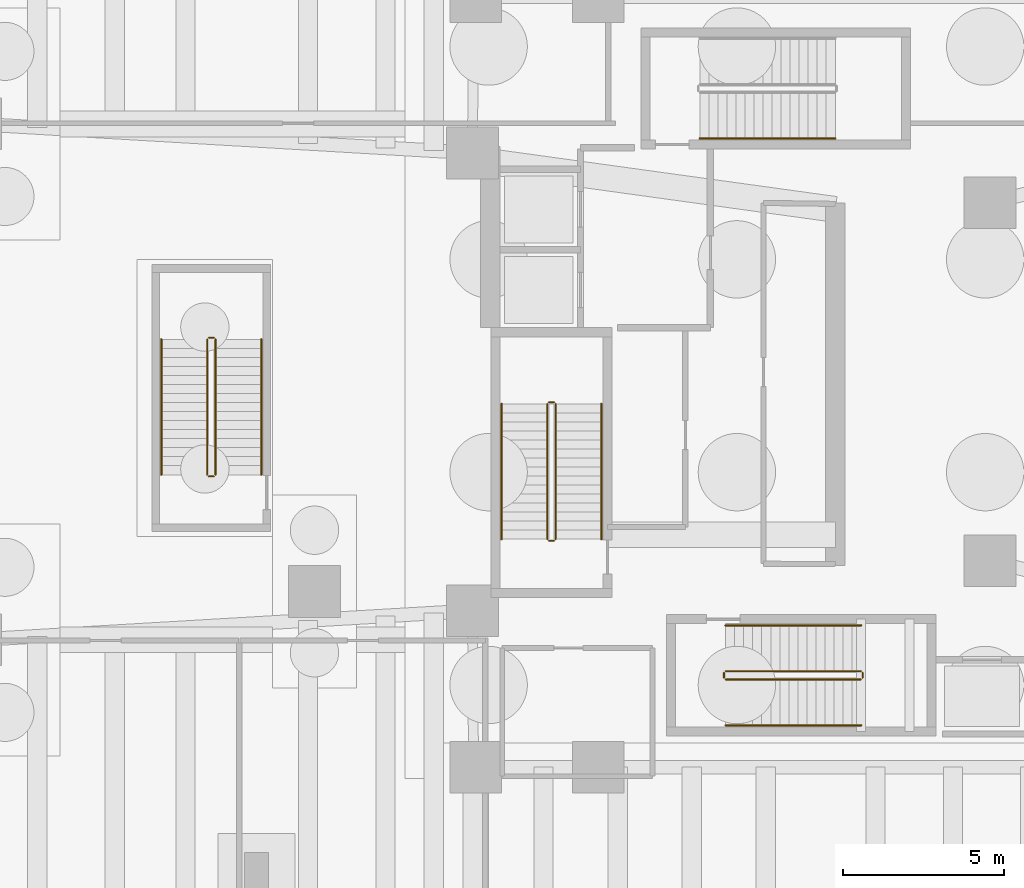
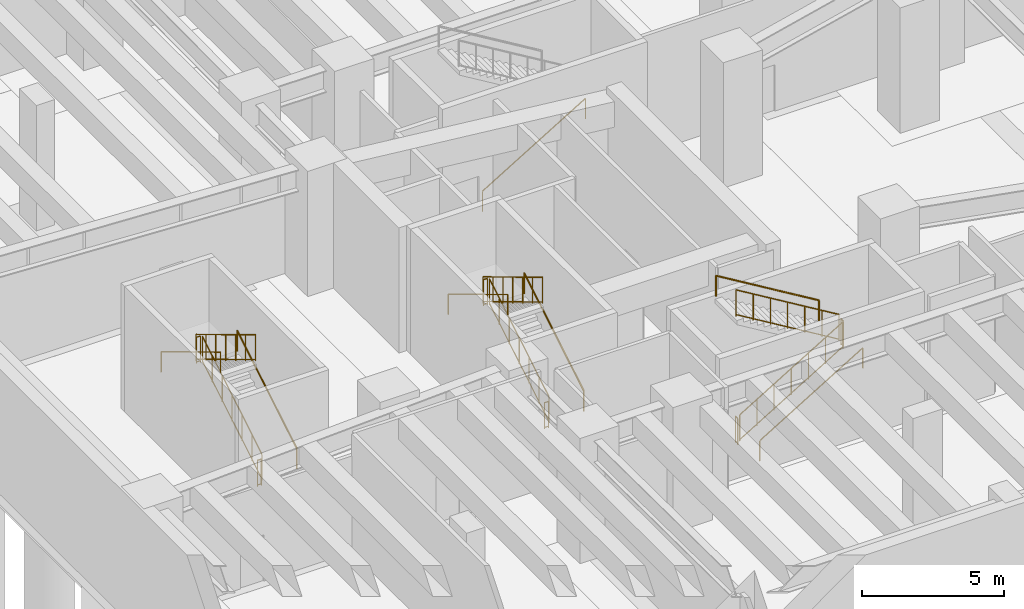
# One storey, part 8 of 10: 19 railings.
"""IFC4 building model written with IfcOpenShell, lengths in metres."""

from ifc_helpers import new_model, si_unit, direction, frame, origin, origin_2d, place, context, subcontext, project, spatial, circle, extrude, material, type_object, element, save


model = new_model("IFC4")

# Units and contexts
model_context = context("Model", 3, precision=1e-05, world=origin(), true_north=direction((0.0, 1.0)))
body_context = subcontext(model_context, "Body", "Model", "MODEL_VIEW")
ifc_project = project(units=[si_unit("LENGTHUNIT", "METRE"), si_unit("AREAUNIT", "SQUARE_METRE"), si_unit("VOLUMEUNIT", "CUBIC_METRE"), si_unit("PLANEANGLEUNIT", "RADIAN"), si_unit("MASSUNIT", "GRAM", prefix="KILO"), si_unit("THERMODYNAMICTEMPERATUREUNIT", "KELVIN"), si_unit("POWERUNIT", "WATT")], contexts=[model_context])

# Site, building, storey
site_placement = place(None, origin())
site = spatial("IfcSite", under=ifc_project, at=site_placement, CompositionType="ELEMENT")
building_placement = place(site_placement, origin())
building = spatial("IfcBuilding", under=site, at=building_placement, Name="Skarre Station Tower", CompositionType="ELEMENT")
storey_placement = place(building_placement, frame((0.0, 0.0, -10.199951171875)))
storey = spatial("IfcBuildingStorey", under=building, at=storey_placement, Name="B02", CompositionType="ELEMENT", Elevation=-10.199951171875)

# Railings
ifc_material = material(Name="Powder-Coated Tubular Steel", Category="steel")
railing_type_1 = type_object("IfcRailingType", Name="Painted Steel Ramp & Stair Handrail 920", PredefinedType="HANDRAIL", material=ifc_material)
railing_1_placement = place(storey_placement, frame((20.300048828125, 19.1201171875, 0.168701171875)))
element("IfcRailing", 1, at=railing_1_placement, inside=storey, type_object=railing_type_1, Name="B02 ST-1 stair handrail 1", PredefinedType="HANDRAIL", context=body_context, shape_type="SweptSolid", body=[
    extrude(circle(Radius=0.02392578125, at=origin_2d()), frame((0.0, 0.0, 0.8759765625), z_axis=(0.0, 0.856476492594, 0.516186030065), x_axis=(-1.0, 0.0, 0.0)), (0.0, 0.0, 1.0), 4.90380859375),
    extrude(circle(Radius=0.02099609375, at=origin_2d()), origin(), (0.0, 0.0, 1.0), 0.851806640625),
    extrude(circle(Radius=0.02099609375, at=origin_2d()), frame((0.0, 4.199951171875, 2.53125)), (0.0, 0.0, 1.0), 0.851806640625),
])
railing_2_placement = place(storey_placement, frame((17.199951171875, 23.320068359375, 2.86865234375)))
element("IfcRailing", 2, at=railing_2_placement, inside=storey, type_object=railing_type_1, Name="B02 ST-1 stair handrail 2", PredefinedType="HANDRAIL", context=body_context, shape_type="SweptSolid", body=[
    extrude(circle(Radius=0.02392578125, at=origin_2d()), frame((0.0, 0.0, 0.8759765625), z_axis=(0.0, -0.856476492594, 0.516186030065), x_axis=(1.0, 0.0, 0.0)), (0.0, 0.0, 1.0), 4.90380859375),
    extrude(circle(Radius=0.02099609375, at=origin_2d()), origin(), (0.0, 0.0, 1.0), 0.851806640625),
    extrude(circle(Radius=0.02099609375, at=origin_2d()), frame((0.0, -4.199951171875, 2.53125)), (0.0, 0.0, 1.0), 0.851806640625),
])
railing_3_placement = place(storey_placement, frame((24.14990234375, 13.35009765625, 0.168701171875)))
element("IfcRailing", 3, at=railing_3_placement, inside=storey, type_object=railing_type_1, Name="B02 ST-2 stair handrail 1", PredefinedType="HANDRAIL", context=body_context, shape_type="SweptSolid", body=[
    extrude(circle(Radius=0.02392578125, at=origin_2d()), frame((0.0, 0.0, 0.8759765625), z_axis=(0.856489757249, 0.0, 0.516164020179), x_axis=(0.0, 1.0, 0.0)), (0.0, 0.0, 1.0), 4.904052734375),
    extrude(circle(Radius=0.02099609375, at=origin_2d()), origin(), (0.0, 0.0, 1.0), 0.851806640625),
    extrude(circle(Radius=0.02099609375, at=origin_2d()), frame((4.2001953125, 0.0, 2.53125)), (0.0, 0.0, 1.0), 0.851806640625),
])
railing_4_placement = place(storey_placement, frame((28.35009765625, 16.449951171875, 2.86865234375)))
element("IfcRailing", 4, at=railing_4_placement, inside=storey, type_object=railing_type_1, Name="B02 ST-2 stair handrail 2", PredefinedType="HANDRAIL", context=body_context, shape_type="SweptSolid", body=[
    extrude(circle(Radius=0.02392578125, at=origin_2d()), frame((0.0, 0.0, 0.8759765625), z_axis=(-0.856489757249, 0.0, 0.516164020179), x_axis=(0.0, -1.0, 0.0)), (0.0, 0.0, 1.0), 4.904052734375),
    extrude(circle(Radius=0.02099609375, at=origin_2d()), origin(), (0.0, 0.0, 1.0), 0.851806640625),
    extrude(circle(Radius=0.02099609375, at=origin_2d()), frame((-4.2001953125, 0.0, 2.53125)), (0.0, 0.0, 1.0), 0.851806640625),
])
railing_5_placement = place(storey_placement, frame((23.35009765625, 31.550048828125, 0.168701171875)))
element("IfcRailing", 5, at=railing_5_placement, inside=storey, type_object=railing_type_1, Name="B02 ST-3 stair handrail 1", PredefinedType="HANDRAIL", context=body_context, shape_type="SweptSolid", body=[
    extrude(circle(Radius=0.02392578125, at=origin_2d()), frame((0.0, 0.0, 0.8759765625), z_axis=(0.856476492594, 0.0, 0.516186030065), x_axis=(0.0, 1.0, 0.0)), (0.0, 0.0, 1.0), 4.90380859375),
    extrude(circle(Radius=0.02099609375, at=origin_2d()), origin(), (0.0, 0.0, 1.0), 0.851806640625),
    extrude(circle(Radius=0.02099609375, at=origin_2d()), frame((4.199951171875, 0.0, 2.53125)), (0.0, 0.0, 1.0), 0.851806640625),
])
railing_6_placement = place(storey_placement, frame((9.75, 21.1201171875, 0.168701171875)))
element("IfcRailing", 6, at=railing_6_placement, inside=storey, type_object=railing_type_1, Name="B02 ST-4 stair handrail 1", PredefinedType="HANDRAIL", context=body_context, shape_type="SweptSolid", body=[
    extrude(circle(Radius=0.02392578125, at=origin_2d()), frame((0.0, 0.0, 0.8759765625), z_axis=(0.0, 0.856476492594, 0.516186030065), x_axis=(-1.0, 0.0, 0.0)), (0.0, 0.0, 1.0), 4.90380859375),
    extrude(circle(Radius=0.02099609375, at=origin_2d()), origin(), (0.0, 0.0, 1.0), 0.851806640625),
    extrude(circle(Radius=0.02099609375, at=origin_2d()), frame((0.0, 4.199951171875, 2.53125)), (0.0, 0.0, 1.0), 0.851806640625),
])
railing_7_placement = place(storey_placement, frame((6.64990234375, 25.320068359375, 2.86865234375)))
element("IfcRailing", 7, at=railing_7_placement, inside=storey, type_object=railing_type_1, Name="B02 ST-4 stair handrail 2", PredefinedType="HANDRAIL", context=body_context, shape_type="SweptSolid", body=[
    extrude(circle(Radius=0.02392578125, at=origin_2d()), frame((0.0, 0.0, 0.8759765625), z_axis=(0.0, -0.856476492594, 0.516186030065), x_axis=(1.0, 0.0, 0.0)), (0.0, 0.0, 1.0), 4.90380859375),
    extrude(circle(Radius=0.02099609375, at=origin_2d()), origin(), (0.0, 0.0, 1.0), 0.851806640625),
    extrude(circle(Radius=0.02099609375, at=origin_2d()), frame((0.0, -4.199951171875, 2.53125)), (0.0, 0.0, 1.0), 0.851806640625),
])
railing_type_2 = type_object("IfcRailingType", Name="Painted Steel Stairwell Guardrail 1100", PredefinedType="GUARDRAIL", material=ifc_material)
railing_8_placement = place(storey_placement, frame((18.8798828125, 19.1201171875, 0.168701171875)))
element("IfcRailing", 8, at=railing_8_placement, inside=storey, type_object=railing_type_2, Name="B02 ST-1 stair guard 1", PredefinedType="GUARDRAIL", context=body_context, shape_type="SweptSolid", body=[
    extrude(circle(Radius=0.02392578125, at=origin_2d()), frame((0.0, 0.0, 1.1259765625), z_axis=(0.0, 0.856476492594, 0.516186030065), x_axis=(-1.0, 0.0, 0.0)), (0.0, 0.0, 1.0), 4.90380859375),
    extrude(circle(Radius=0.02099609375, at=origin_2d()), frame((0.0, 0.0, 0.06005859375), z_axis=(0.0, 0.856476492594, 0.516186030065), x_axis=(-1.0, 0.0, 0.0)), (0.0, 0.0, 1.0), 4.90380859375),
    extrude(circle(Radius=0.02099609375, at=origin_2d()), origin(), (0.0, 0.0, 1.0), 1.101806640625),
    extrude(circle(Radius=0.02099609375, at=origin_2d()), frame((0.0, 0.699951171875, 0.421875)), (0.0, 0.0, 1.0), 1.101806640625),
    extrude(circle(Radius=0.02099609375, at=origin_2d()), frame((0.0, 1.39990234375, 0.84375)), (0.0, 0.0, 1.0), 1.101806640625),
    extrude(circle(Radius=0.02099609375, at=origin_2d()), frame((0.0, 2.10009765625, 1.265625)), (0.0, 0.0, 1.0), 1.101806640625),
    extrude(circle(Radius=0.02099609375, at=origin_2d()), frame((0.0, 2.800048828125, 1.6875)), (0.0, 0.0, 1.0), 1.101806640625),
    extrude(circle(Radius=0.02099609375, at=origin_2d()), frame((0.0, 3.5, 2.109375)), (0.0, 0.0, 1.0), 1.101806640625),
    extrude(circle(Radius=0.02099609375, at=origin_2d()), frame((0.0, 4.199951171875, 2.53125)), (0.0, 0.0, 1.0), 1.101806640625),
])
railing_9_placement = place(storey_placement, frame((18.830078125, 23.3701171875, 2.699951171875)))
element("IfcRailing", 9, at=railing_9_placement, inside=storey, type_object=railing_type_2, Name="B02 ST-1 stair guard 2", PredefinedType="GUARDRAIL", context=body_context, shape_type="SweptSolid", body=[
    extrude(circle(Radius=0.02392578125, at=origin_2d()), frame((0.0, 0.0, 1.1259765625), z_axis=(-1.0, 0.0, 0.0), x_axis=(0.0, -1.0, 0.0)), (0.0, 0.0, 1.0), 0.16015625),
    extrude(circle(Radius=0.02099609375, at=origin_2d()), frame((0.0, 0.0, 0.06005859375), z_axis=(-1.0, 0.0, 0.0), x_axis=(0.0, -1.0, 0.0)), (0.0, 0.0, 1.0), 0.16015625),
    extrude(circle(Radius=0.02099609375, at=origin_2d()), origin(), (0.0, 0.0, 1.0), 1.101806640625),
    extrude(circle(Radius=0.02099609375, at=origin_2d()), frame((-0.16015625, 0.0, 0.0)), (0.0, 0.0, 1.0), 1.101806640625),
])
railing_10_placement = place(storey_placement, frame((18.6201171875, 23.320068359375, 2.86865234375)))
element("IfcRailing", 10, at=railing_10_placement, inside=storey, type_object=railing_type_2, Name="B02 ST-1 stair guard 3", PredefinedType="GUARDRAIL", context=body_context, shape_type="SweptSolid", body=[
    extrude(circle(Radius=0.02392578125, at=origin_2d()), frame((0.0, 0.0, 1.1259765625), z_axis=(0.0, -0.856476492594, 0.516186030065), x_axis=(1.0, 0.0, 0.0)), (0.0, 0.0, 1.0), 4.90380859375),
    extrude(circle(Radius=0.02099609375, at=origin_2d()), frame((0.0, 0.0, 0.06005859375), z_axis=(0.0, -0.856476492594, 0.516186030065), x_axis=(1.0, 0.0, 0.0)), (0.0, 0.0, 1.0), 4.90380859375),
    extrude(circle(Radius=0.02099609375, at=origin_2d()), origin(), (0.0, 0.0, 1.0), 1.101806640625),
    extrude(circle(Radius=0.02099609375, at=origin_2d()), frame((0.0, -0.699951171875, 0.421875)), (0.0, 0.0, 1.0), 1.101806640625),
    extrude(circle(Radius=0.02099609375, at=origin_2d()), frame((0.0, -1.39990234375, 0.84375)), (0.0, 0.0, 1.0), 1.101806640625),
    extrude(circle(Radius=0.02099609375, at=origin_2d()), frame((0.0, -2.10009765625, 1.265625)), (0.0, 0.0, 1.0), 1.101806640625),
    extrude(circle(Radius=0.02099609375, at=origin_2d()), frame((0.0, -2.800048828125, 1.6875)), (0.0, 0.0, 1.0), 1.101806640625),
    extrude(circle(Radius=0.02099609375, at=origin_2d()), frame((0.0, -3.5, 2.109375)), (0.0, 0.0, 1.0), 1.101806640625),
    extrude(circle(Radius=0.02099609375, at=origin_2d()), frame((0.0, -4.199951171875, 2.53125)), (0.0, 0.0, 1.0), 1.101806640625),
])
railing_11_placement = place(storey_placement, frame((18.830078125, 19.070068359375, 0.0)))
element("IfcRailing", 11, at=railing_11_placement, inside=storey, type_object=railing_type_2, Name="B02 ST-1 stair guard 4", PredefinedType="GUARDRAIL", context=body_context, shape_type="SweptSolid", body=[
    extrude(circle(Radius=0.02392578125, at=origin_2d()), frame((0.0, 0.0, 1.1259765625), z_axis=(-1.0, 0.0, 0.0), x_axis=(0.0, -1.0, 0.0)), (0.0, 0.0, 1.0), 0.16015625),
    extrude(circle(Radius=0.02099609375, at=origin_2d()), frame((0.0, 0.0, 0.06005859375), z_axis=(-1.0, 0.0, 0.0), x_axis=(0.0, -1.0, 0.0)), (0.0, 0.0, 1.0), 0.16015625),
    extrude(circle(Radius=0.02099609375, at=origin_2d()), origin(), (0.0, 0.0, 1.0), 1.101806640625),
    extrude(circle(Radius=0.02099609375, at=origin_2d()), frame((-0.16015625, 0.0, 0.0)), (0.0, 0.0, 1.0), 1.101806640625),
])
railing_12_placement = place(storey_placement, frame((24.14990234375, 14.77001953125, 0.168701171875)))
element("IfcRailing", 12, at=railing_12_placement, inside=storey, type_object=railing_type_2, Name="B02 ST-2 stair guard 1", PredefinedType="GUARDRAIL", context=body_context, shape_type="SweptSolid", body=[
    extrude(circle(Radius=0.02392578125, at=origin_2d()), frame((0.0, 0.0, 1.1259765625), z_axis=(0.856489757249, 0.0, 0.516164020179), x_axis=(0.0, 1.0, 0.0)), (0.0, 0.0, 1.0), 4.904052734375),
    extrude(circle(Radius=0.02099609375, at=origin_2d()), frame((0.0, 0.0, 0.06005859375), z_axis=(0.856489757249, 0.0, 0.516164020179), x_axis=(0.0, 1.0, 0.0)), (0.0, 0.0, 1.0), 4.904052734375),
    extrude(circle(Radius=0.02099609375, at=origin_2d()), origin(), (0.0, 0.0, 1.0), 1.101806640625),
    extrude(circle(Radius=0.02099609375, at=origin_2d()), frame((0.699951171875, 0.0, 0.421875)), (0.0, 0.0, 1.0), 1.101806640625),
    extrude(circle(Radius=0.02099609375, at=origin_2d()), frame((1.400146484375, 0.0, 0.84375)), (0.0, 0.0, 1.0), 1.101806640625),
    extrude(circle(Radius=0.02099609375, at=origin_2d()), frame((2.10009765625, 0.0, 1.265625)), (0.0, 0.0, 1.0), 1.101806640625),
    extrude(circle(Radius=0.02099609375, at=origin_2d()), frame((2.800048828125, 0.0, 1.6875)), (0.0, 0.0, 1.0), 1.101806640625),
    extrude(circle(Radius=0.02099609375, at=origin_2d()), frame((3.500244140625, 0.0, 2.109375)), (0.0, 0.0, 1.0), 1.101806640625),
    extrude(circle(Radius=0.02099609375, at=origin_2d()), frame((4.2001953125, 0.0, 2.53125)), (0.0, 0.0, 1.0), 1.101806640625),
])
railing_13_placement = place(storey_placement, frame((28.39990234375, 14.820068359375, 2.699951171875)))
element("IfcRailing", 13, at=railing_13_placement, inside=storey, type_object=railing_type_2, Name="B02 ST-2 stair guard 2", PredefinedType="GUARDRAIL", context=body_context, shape_type="SweptSolid", body=[
    extrude(circle(Radius=0.02392578125, at=origin_2d()), frame((0.0, 0.0, 1.1259765625), z_axis=(0.0, 1.0, 0.0), x_axis=(-1.0, 0.0, 0.0)), (0.0, 0.0, 1.0), 0.159912109375),
    extrude(circle(Radius=0.02099609375, at=origin_2d()), frame((0.0, 0.0, 0.06005859375), z_axis=(0.0, 1.0, 0.0), x_axis=(-1.0, 0.0, 0.0)), (0.0, 0.0, 1.0), 0.159912109375),
    extrude(circle(Radius=0.02099609375, at=origin_2d()), origin(), (0.0, 0.0, 1.0), 1.101806640625),
    extrude(circle(Radius=0.02099609375, at=origin_2d()), frame((0.0, 0.159912109375, 0.0)), (0.0, 0.0, 1.0), 1.101806640625),
])
railing_14_placement = place(storey_placement, frame((28.35009765625, 15.030029296875, 2.86865234375)))
element("IfcRailing", 14, at=railing_14_placement, inside=storey, type_object=railing_type_2, Name="B02 ST-2 stair guard 3", PredefinedType="GUARDRAIL", context=body_context, shape_type="SweptSolid", body=[
    extrude(circle(Radius=0.02392578125, at=origin_2d()), frame((0.0, 0.0, 1.1259765625), z_axis=(-0.856489757249, 0.0, 0.516164020179), x_axis=(0.0, -1.0, 0.0)), (0.0, 0.0, 1.0), 4.904052734375),
    extrude(circle(Radius=0.02099609375, at=origin_2d()), frame((0.0, 0.0, 0.06005859375), z_axis=(-0.856489757249, 0.0, 0.516164020179), x_axis=(0.0, -1.0, 0.0)), (0.0, 0.0, 1.0), 4.904052734375),
    extrude(circle(Radius=0.02099609375, at=origin_2d()), origin(), (0.0, 0.0, 1.0), 1.101806640625),
    extrude(circle(Radius=0.02099609375, at=origin_2d()), frame((-0.699951171875, 0.0, 0.421875)), (0.0, 0.0, 1.0), 1.101806640625),
    extrude(circle(Radius=0.02099609375, at=origin_2d()), frame((-1.400146484375, 0.0, 0.84375)), (0.0, 0.0, 1.0), 1.101806640625),
    extrude(circle(Radius=0.02099609375, at=origin_2d()), frame((-2.10009765625, 0.0, 1.265625)), (0.0, 0.0, 1.0), 1.101806640625),
    extrude(circle(Radius=0.02099609375, at=origin_2d()), frame((-2.800048828125, 0.0, 1.6875)), (0.0, 0.0, 1.0), 1.101806640625),
    extrude(circle(Radius=0.02099609375, at=origin_2d()), frame((-3.500244140625, 0.0, 2.109375)), (0.0, 0.0, 1.0), 1.101806640625),
    extrude(circle(Radius=0.02099609375, at=origin_2d()), frame((-4.2001953125, 0.0, 2.53125)), (0.0, 0.0, 1.0), 1.101806640625),
])
railing_15_placement = place(storey_placement, frame((24.10009765625, 14.820068359375, 0.0)))
element("IfcRailing", 15, at=railing_15_placement, inside=storey, type_object=railing_type_2, Name="B02 ST-2 stair guard 4", PredefinedType="GUARDRAIL", context=body_context, shape_type="SweptSolid", body=[
    extrude(circle(Radius=0.02392578125, at=origin_2d()), frame((0.0, 0.0, 1.1259765625), z_axis=(0.0, 1.0, 0.0), x_axis=(-1.0, 0.0, 0.0)), (0.0, 0.0, 1.0), 0.159912109375),
    extrude(circle(Radius=0.02099609375, at=origin_2d()), frame((0.0, 0.0, 0.06005859375), z_axis=(0.0, 1.0, 0.0), x_axis=(-1.0, 0.0, 0.0)), (0.0, 0.0, 1.0), 0.159912109375),
    extrude(circle(Radius=0.02099609375, at=origin_2d()), origin(), (0.0, 0.0, 1.0), 1.101806640625),
    extrude(circle(Radius=0.02099609375, at=origin_2d()), frame((0.0, 0.159912109375, 0.0)), (0.0, 0.0, 1.0), 1.101806640625),
])
railing_16_placement = place(storey_placement, frame((8.330078125, 21.1201171875, 0.168701171875)))
element("IfcRailing", 16, at=railing_16_placement, inside=storey, type_object=railing_type_2, Name="B02 ST-4 stair guard 1", PredefinedType="GUARDRAIL", context=body_context, shape_type="SweptSolid", body=[
    extrude(circle(Radius=0.02392578125, at=origin_2d()), frame((0.0, 0.0, 1.1259765625), z_axis=(0.0, 0.856476492594, 0.516186030065), x_axis=(-1.0, 0.0, 0.0)), (0.0, 0.0, 1.0), 4.90380859375),
    extrude(circle(Radius=0.02099609375, at=origin_2d()), frame((0.0, 0.0, 0.06005859375), z_axis=(0.0, 0.856476492594, 0.516186030065), x_axis=(-1.0, 0.0, 0.0)), (0.0, 0.0, 1.0), 4.90380859375),
    extrude(circle(Radius=0.02099609375, at=origin_2d()), origin(), (0.0, 0.0, 1.0), 1.101806640625),
    extrude(circle(Radius=0.02099609375, at=origin_2d()), frame((0.0, 0.699951171875, 0.421875)), (0.0, 0.0, 1.0), 1.101806640625),
    extrude(circle(Radius=0.02099609375, at=origin_2d()), frame((0.0, 1.39990234375, 0.84375)), (0.0, 0.0, 1.0), 1.101806640625),
    extrude(circle(Radius=0.02099609375, at=origin_2d()), frame((0.0, 2.10009765625, 1.265625)), (0.0, 0.0, 1.0), 1.101806640625),
    extrude(circle(Radius=0.02099609375, at=origin_2d()), frame((0.0, 2.800048828125, 1.6875)), (0.0, 0.0, 1.0), 1.101806640625),
    extrude(circle(Radius=0.02099609375, at=origin_2d()), frame((0.0, 3.5, 2.109375)), (0.0, 0.0, 1.0), 1.101806640625),
    extrude(circle(Radius=0.02099609375, at=origin_2d()), frame((0.0, 4.199951171875, 2.53125)), (0.0, 0.0, 1.0), 1.101806640625),
])
railing_17_placement = place(storey_placement, frame((8.280029296875, 25.3701171875, 2.699951171875)))
element("IfcRailing", 17, at=railing_17_placement, inside=storey, type_object=railing_type_2, Name="B02 ST-4 stair guard 2", PredefinedType="GUARDRAIL", context=body_context, shape_type="SweptSolid", body=[
    extrude(circle(Radius=0.02392578125, at=origin_2d()), frame((0.0, 0.0, 1.1259765625), z_axis=(-1.0, 0.0, 0.0), x_axis=(0.0, -1.0, 0.0)), (0.0, 0.0, 1.0), 0.159912109375),
    extrude(circle(Radius=0.02099609375, at=origin_2d()), frame((0.0, 0.0, 0.06005859375), z_axis=(-1.0, 0.0, 0.0), x_axis=(0.0, -1.0, 0.0)), (0.0, 0.0, 1.0), 0.159912109375),
    extrude(circle(Radius=0.02099609375, at=origin_2d()), origin(), (0.0, 0.0, 1.0), 1.101806640625),
    extrude(circle(Radius=0.02099609375, at=origin_2d()), frame((-0.159912109375, 0.0, 0.0)), (0.0, 0.0, 1.0), 1.101806640625),
])
railing_18_placement = place(storey_placement, frame((8.070068359375, 25.320068359375, 2.86865234375)))
element("IfcRailing", 18, at=railing_18_placement, inside=storey, type_object=railing_type_2, Name="B02 ST-4 stair guard 3", PredefinedType="GUARDRAIL", context=body_context, shape_type="SweptSolid", body=[
    extrude(circle(Radius=0.02392578125, at=origin_2d()), frame((0.0, 0.0, 1.1259765625), z_axis=(0.0, -0.856476492594, 0.516186030065), x_axis=(1.0, 0.0, 0.0)), (0.0, 0.0, 1.0), 4.90380859375),
    extrude(circle(Radius=0.02099609375, at=origin_2d()), frame((0.0, 0.0, 0.06005859375), z_axis=(0.0, -0.856476492594, 0.516186030065), x_axis=(1.0, 0.0, 0.0)), (0.0, 0.0, 1.0), 4.90380859375),
    extrude(circle(Radius=0.02099609375, at=origin_2d()), origin(), (0.0, 0.0, 1.0), 1.101806640625),
    extrude(circle(Radius=0.02099609375, at=origin_2d()), frame((0.0, -0.699951171875, 0.421875)), (0.0, 0.0, 1.0), 1.101806640625),
    extrude(circle(Radius=0.02099609375, at=origin_2d()), frame((0.0, -1.39990234375, 0.84375)), (0.0, 0.0, 1.0), 1.101806640625),
    extrude(circle(Radius=0.02099609375, at=origin_2d()), frame((0.0, -2.10009765625, 1.265625)), (0.0, 0.0, 1.0), 1.101806640625),
    extrude(circle(Radius=0.02099609375, at=origin_2d()), frame((0.0, -2.800048828125, 1.6875)), (0.0, 0.0, 1.0), 1.101806640625),
    extrude(circle(Radius=0.02099609375, at=origin_2d()), frame((0.0, -3.5, 2.109375)), (0.0, 0.0, 1.0), 1.101806640625),
    extrude(circle(Radius=0.02099609375, at=origin_2d()), frame((0.0, -4.199951171875, 2.53125)), (0.0, 0.0, 1.0), 1.101806640625),
])
railing_19_placement = place(storey_placement, frame((8.280029296875, 21.070068359375, 0.0)))
element("IfcRailing", 19, at=railing_19_placement, inside=storey, type_object=railing_type_2, Name="B02 ST-4 stair guard 4", PredefinedType="GUARDRAIL", context=body_context, shape_type="SweptSolid", body=[
    extrude(circle(Radius=0.02392578125, at=origin_2d()), frame((0.0, 0.0, 1.1259765625), z_axis=(-1.0, 0.0, 0.0), x_axis=(0.0, -1.0, 0.0)), (0.0, 0.0, 1.0), 0.159912109375),
    extrude(circle(Radius=0.02099609375, at=origin_2d()), frame((0.0, 0.0, 0.06005859375), z_axis=(-1.0, 0.0, 0.0), x_axis=(0.0, -1.0, 0.0)), (0.0, 0.0, 1.0), 0.159912109375),
    extrude(circle(Radius=0.02099609375, at=origin_2d()), origin(), (0.0, 0.0, 1.0), 1.101806640625),
    extrude(circle(Radius=0.02099609375, at=origin_2d()), frame((-0.159912109375, 0.0, 0.0)), (0.0, 0.0, 1.0), 1.101806640625),
])

save(model, "model.ifc")
